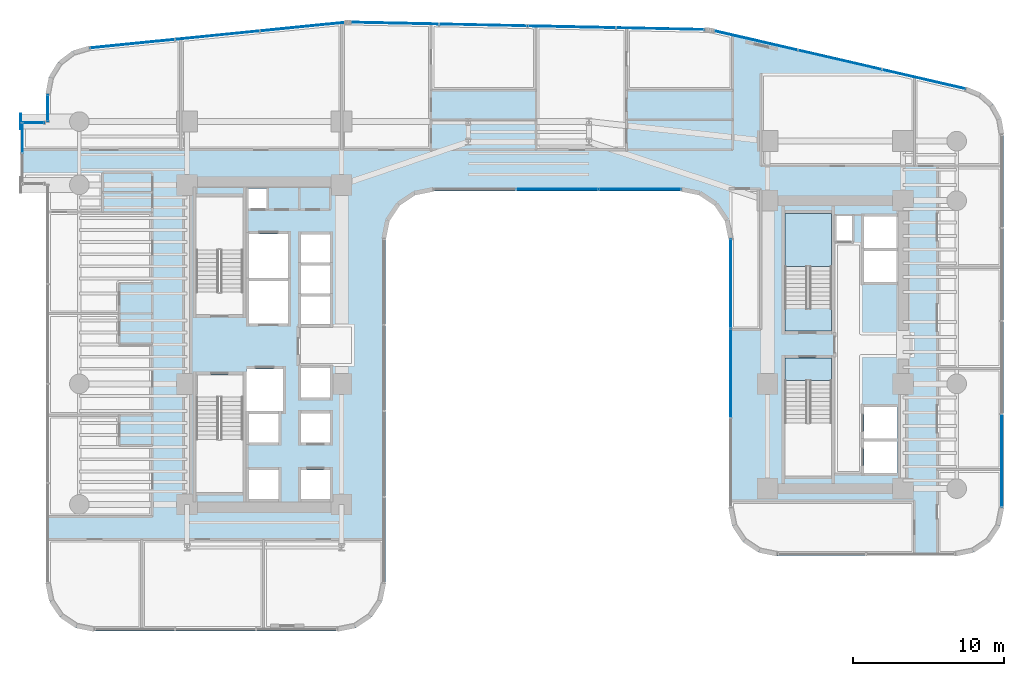
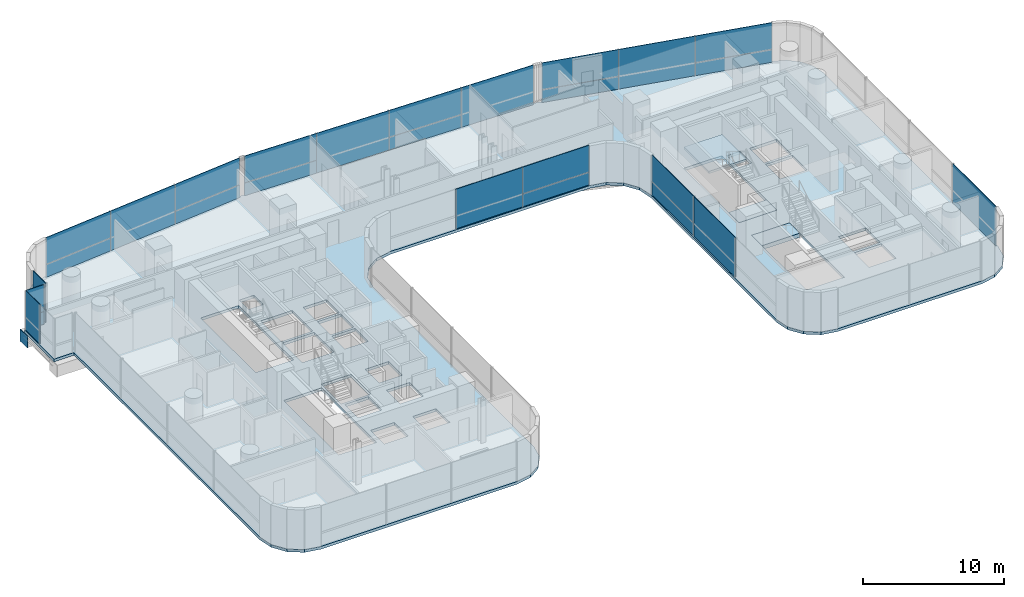
# One storey, part 30 of 41: 29 plates, 4 slabs, 10 elements without a shape of their own.
"""IFC4 building model written with IfcOpenShell, lengths in metres."""

from ifc_helpers import new_model, si_unit, direction, frame, origin, origin_2d, place, context, subcontext, project, spatial, polyline, rectangle, outline, extrude, source, transform, mapped, material, layer, layer_set, type_object, element, aggregate, save


model = new_model("IFC4")

# Units and contexts
model_context = context("Model", 3, precision=1e-05, world=origin(), true_north=direction((0.0, 1.0)))
body_context = subcontext(model_context, "Body", "Model", "MODEL_VIEW")
ifc_project = project(units=[si_unit("LENGTHUNIT", "METRE"), si_unit("AREAUNIT", "SQUARE_METRE"), si_unit("VOLUMEUNIT", "CUBIC_METRE"), si_unit("PLANEANGLEUNIT", "RADIAN"), si_unit("MASSUNIT", "GRAM", prefix="KILO")], contexts=[model_context])

# Site, building, storey
site_placement = place(None, origin())
site = spatial("IfcSite", under=ifc_project, at=site_placement, CompositionType="ELEMENT")
building_placement = place(site_placement, origin())
building = spatial("IfcBuilding", under=site, at=building_placement, Name="Valdorenza Pilgrim Sanctuary Tower", CompositionType="ELEMENT")
storey_placement = place(building_placement, frame((0.0, 0.0, 85.199951171875)))
storey = spatial("IfcBuildingStorey", under=building, at=storey_placement, Name="L21", CompositionType="ELEMENT", Elevation=85.199951171875)

# Slab
ifc_material_1 = material(Name="Concrete C40/50", Category="concrete")
ifc_layer_1 = layer(ifc_material_1, 0.239990234375, Name="Concrete C40/50")
ifc_layer_set_1 = layer_set([ifc_layer_1], Name="Concrete C40/50")
slab_type_1 = type_object("IfcSlabType", Name="SLAB-FLR-220", PredefinedType="FLOOR", material=ifc_layer_set_1)
slab_1_placement = place(storey_placement, frame((0.0, 0.0, -0.239990234375)))
element("IfcSlab", 1, at=slab_1_placement, inside=storey, type_object=slab_type_1, Name="L21 Structural Floor Slab 1", PredefinedType="FLOOR", context=body_context, shape_type="SweptSolid", body=[
    extrude(outline(polyline([(-31.785888671875, 17.754638671875), (-31.172607421875, 18.751220703125), (-30.241943359375, 19.460693359375), (-29.118408203125, 19.7880859375), (-12.192138671875, 21.480712890625), (-11.999755859375, 21.494140625), (-11.9033203125, 21.49658203125), (11.66943359375, 21.0068359375), (11.833984375, 20.999267578125), (11.997802734375, 20.983154296875), (12.160888671875, 20.95849609375), (12.322265625, 20.925537109375), (29.01953125, 17.072509765625), (30.00732421875, 16.660888671875), (30.80419921875, 15.946533203125), (31.321044921875, 15.009521484375), (31.5, 13.954345703125), (31.5, -10.800048828125), (31.25634765625, -12.024658203125), (30.562744140625, -13.062744140625), (29.524658203125, -13.75634765625), (28.300048828125, -14.0), (16.5, -14.0), (15.275390625, -13.75634765625), (14.2373046875, -13.062744140625), (13.543701171875, -12.024658203125), (13.300048828125, -10.800048828125), (13.300048828125, 7.0), (13.056396484375, 8.224609375), (12.36279296875, 9.2626953125), (11.32470703125, 9.956298828125), (10.10009765625, 10.199951171875), (-6.300048828125, 10.199951171875), (-7.524658203125, 9.956298828125), (-8.562744140625, 9.2626953125), (-9.25634765625, 8.224609375), (-9.5, 7.0), (-9.5, -15.800048828125), (-9.74365234375, -17.024658203125), (-10.437255859375, -18.062744140625), (-11.475341796875, -18.75634765625), (-12.699951171875, -19.0), (-28.800048828125, -19.0), (-30.024658203125, -18.75634765625), (-31.062744140625, -18.062744140625), (-31.75634765625, -17.024658203125), (-32.0, -15.800048828125), (-32.0, 10.60009765625), (-33.64990234375, 10.60009765625), (-33.64990234375, 14.800048828125), (-32.0, 14.800048828125), (-32.0, 16.60400390625), (-31.785888671875, 17.754638671875)]), holes=[polyline([(-16.60009765625, -10.25), (-16.60009765625, -8.300048828125), (-18.550048828125, -8.300048828125), (-18.550048828125, -10.25), (-16.60009765625, -10.25)]), polyline([(-22.050048828125, -9.800048828125), (-18.93994140625, -9.800048828125), (-18.93994140625, -3.485107421875), (-18.93994140625, -2.0), (-22.050048828125, -2.0), (-22.050048828125, -3.485107421875), (-22.050048828125, -9.800048828125)]), polyline([(-18.550048828125, -6.5), (-16.60009765625, -6.5), (-16.60009765625, -4.60009765625), (-18.550048828125, -4.60009765625), (-18.550048828125, -6.5)]), polyline([(-13.179931640625, -6.5), (-13.179931640625, -4.550048828125), (-15.10009765625, -4.550048828125), (-15.10009765625, -6.5), (-13.179931640625, -6.5)]), polyline([(-18.719970703125, -4.39990234375), (-16.300048828125, -4.39990234375), (-16.300048828125, -1.60009765625), (-18.719970703125, -1.60009765625), (-18.719970703125, -4.39990234375)]), polyline([(-13.179931640625, -3.5), (-13.179931640625, -1.550048828125), (-15.10009765625, -1.550048828125), (-15.10009765625, -3.5), (-13.179931640625, -3.5)]), polyline([(-22.050048828125, 2.0), (-18.93994140625, 2.0), (-18.93994140625, 3.485107421875), (-18.93994140625, 9.800048828125), (-22.050048828125, 9.800048828125), (-22.050048828125, 3.485107421875), (-22.050048828125, 2.0)]), polyline([(-18.550048828125, 1.39990234375), (-15.949951171875, 1.39990234375), (-15.949951171875, 4.22509765625), (-18.550048828125, 4.22509765625), (-18.550048828125, 1.39990234375)]), polyline([(-15.949951171875, 4.425048828125), (-15.949951171875, 7.35009765625), (-18.550048828125, 7.35009765625), (-18.550048828125, 4.425048828125), (-15.949951171875, 4.425048828125)]), polyline([(-15.10009765625, 5.449951171875), (-13.179931640625, 5.449951171875), (-13.179931640625, 7.300048828125), (-15.10009765625, 7.300048828125), (-15.10009765625, 5.449951171875)]), polyline([(-17.360107421875, 9.030029296875), (-17.360107421875, 10.35009765625), (-18.570068359375, 10.35009765625), (-18.570068359375, 9.030029296875), (-17.360107421875, 9.030029296875)]), polyline([(-15.10009765625, -10.25), (-13.179931640625, -10.25), (-13.179931640625, -8.300048828125), (-15.10009765625, -8.300048828125), (-15.10009765625, -10.25)]), polyline([(22.25, -8.5), (24.47998046875, -8.5), (24.47998046875, -6.425048828125), (22.25, -6.425048828125), (22.25, -8.5)]), polyline([(17.0, -2.385009765625), (17.0, -8.699951171875), (20.110107421875, -8.699951171875), (20.110107421875, -2.385009765625), (20.110107421875, -0.89990234375), (17.0, -0.89990234375), (17.0, -2.385009765625)]), polyline([(22.25, -6.22509765625), (24.47998046875, -6.22509765625), (24.47998046875, -4.14990234375), (22.25, -4.14990234375), (22.25, -6.22509765625)]), polyline([(17.0, 0.89990234375), (20.110107421875, 0.89990234375), (20.110107421875, 2.385009765625), (20.110107421875, 8.699951171875), (17.0, 8.699951171875), (17.0, 2.385009765625), (17.0, 0.89990234375)]), polyline([(-15.10009765625, 1.35009765625), (-13.179931640625, 1.35009765625), (-13.179931640625, 3.199951171875), (-15.10009765625, 3.199951171875), (-15.10009765625, 1.35009765625)]), polyline([(-15.10009765625, 3.39990234375), (-13.179931640625, 3.39990234375), (-13.179931640625, 5.25), (-15.10009765625, 5.25), (-15.10009765625, 3.39990234375)]), polyline([(22.25, 4.14990234375), (24.47998046875, 4.14990234375), (24.47998046875, 6.22509765625), (22.25, 6.22509765625), (22.25, 4.14990234375)]), polyline([(22.25, 6.425048828125), (24.47998046875, 6.425048828125), (24.47998046875, 8.5), (22.25, 8.5), (22.25, 6.425048828125)]), polyline([(20.409912109375, 6.860107421875), (21.489990234375, 6.860107421875), (21.489990234375, 8.52001953125), (20.409912109375, 8.52001953125), (20.409912109375, 6.860107421875)])]), origin(), (0.0, 0.0, 1.0), 0.239990234375),
])

# Stair, slab
stair_type = type_object("IfcStairType", Name="STR-DOG-CORE", PredefinedType="HALF_TURN_STAIR", material=ifc_material_1)
stair_placement = place(storey_placement, origin())
stair = element("IfcStair", 2, at=stair_placement, inside=storey, type_object=stair_type, Name="L21 ST-B1", PredefinedType="HALF_TURN_STAIR")
ifc_layer_2 = layer(ifc_material_1, 0.199951171875, Name="Concrete C40/50")
ifc_layer_set_2 = layer_set([ifc_layer_2], Name="Concrete C40/50")
slab_type_2 = type_object("IfcSlabType", Name="SLAB-STL-200", PredefinedType="LANDING", material=ifc_layer_set_2)
slab_2_placement = place(storey_placement, frame((0.0, 0.0, 1.650146484375)))
slab_2 = element("IfcSlab", 3, at=slab_2_placement, type_object=slab_type_2, Name="ST-B1 landing 1", PredefinedType="LANDING", context=body_context, shape_type="SweptSolid", body=[
    extrude(outline(polyline([(20.110107421875, 5.179931640625), (20.110107421875, 8.699951171875), (17.0, 8.699951171875), (17.0, 5.179931640625), (20.110107421875, 5.179931640625)])), origin(), (0.0, 0.0, 1.0), 0.199951171875),
])
aggregate(stair, [slab_2])

# Slabs
ifc_material_2 = material(Name="Concrete C50/60", Category="concrete")
ifc_layer_3 = layer(ifc_material_2, 0.39990234375, Name="Concrete C50/60")
ifc_layer_set_3 = layer_set([ifc_layer_3], Name="Concrete C50/60")
slab_type_3 = type_object("IfcSlabType", Name="SLAB-TRF-400", PredefinedType="FLOOR", material=ifc_layer_set_3)
slab_3_placement = place(storey_placement, frame((0.0, 0.0, -0.35986328125)))
element("IfcSlab", 4, at=slab_3_placement, inside=storey, type_object=slab_type_3, Name="L21 ST-B1 Structural Stair Landing Bearing Slab", PredefinedType="FLOOR", context=body_context, shape_type="SweptSolid", body=[
    extrude(outline(polyline([(17.0, 0.89990234375), (20.110107421875, 0.89990234375), (20.110107421875, 2.385009765625), (17.0, 2.385009765625), (17.0, 0.89990234375)])), origin(), (0.0, 0.0, 1.0), 0.35986328125),
])
slab_4_placement = place(storey_placement, frame((0.0, 0.0, -0.35986328125)))
element("IfcSlab", 5, at=slab_4_placement, inside=storey, type_object=slab_type_3, Name="L21 ST-B2 Structural Stair Landing Bearing Slab", PredefinedType="FLOOR", context=body_context, shape_type="SweptSolid", body=[
    extrude(outline(polyline([(17.0, -2.385009765625), (20.110107421875, -2.385009765625), (20.110107421875, -0.89990234375), (17.0, -0.89990234375), (17.0, -2.385009765625)])), origin(), (0.0, 0.0, 1.0), 0.35986328125),
])

# Plate
ifc_material_3 = material(Name="Steel ASTM A572 Grade 42", Category="steel")
ifc_layer_4 = layer(ifc_material_3, 0.06005859375, Name="Steel ASTM A572 Grade 42")
ifc_layer_set_4 = layer_set([ifc_layer_4], Name="Steel ASTM A572 Grade 42")
plate_type_1 = type_object("IfcPlateType", Name="PLT-CAP-60", PredefinedType="SHEET", material=ifc_layer_set_4)
shared_shape_1 = source(origin(), body_context, "Body", "SweptSolid", [
    extrude(rectangle(XDim=0.06005859375, YDim=1.0400390625, at=origin_2d()), origin(), (0.0, 0.0, 1.0), 1.0400390625),
])
plate_1_placement = place(storey_placement, frame((-33.679931640625, 14.800048828125, -1.260009765625), z_axis=(0.0, 0.0, 1.0), x_axis=(1.0, 0.0, 0.0)))
element("IfcPlate", 6, at=plate_1_placement, inside=storey, type_object=plate_type_1, Name="L21 BOX-WA-L21 Cantilever Tip End Cap N", PredefinedType="SHEET", context=body_context, shape_type="MappedRepresentation", body=[
    mapped(shared_shape_1, transform((0.0, 0.0, 0.0), x_axis=(1.0, 0.0, 0.0), y_axis=(0.0, 1.0, 0.0), z_axis=(0.0, 0.0, 1.0), scale=1.0)),
])

# Curtain wall, plates
ifc_material_4 = material(Name="Curtain-wall IGU glazing", Category="glass")
curtain_wall_type_1 = type_object("IfcCurtainWallType", Name="CW-SYS-02", PredefinedType="NOTDEFINED", material=ifc_material_4)
curtain_wall_1_placement = place(storey_placement, origin())
curtain_wall_1 = element("IfcCurtainWall", 7, at=curtain_wall_1_placement, inside=storey, type_object=curtain_wall_type_1, Name="L21 Curtain Wall CW-L21-1-6", PredefinedType="NOTDEFINED")
ifc_material_5 = material(Name="Honed travertine limestone", Category="masonry")
ifc_layer_5 = layer(ifc_material_5, 0.050048828125, Name="Honed travertine limestone")
ifc_layer_set_5 = layer_set([ifc_layer_5], Name="Honed travertine limestone")
plate_type_2 = type_object("IfcPlateType", Name="CW-SPN-TRV", PredefinedType="USERDEFINED", material=ifc_layer_set_5)
shared_shape_2 = source(origin(), body_context, "Body", "SweptSolid", [
    extrude(rectangle(XDim=5.646484375, YDim=0.06005859375, at=origin_2d()), origin(), (0.0, 0.0, 1.0), 1.10009765625),
])
plate_2_placement = place(storey_placement, frame((-26.2783203125, 19.961669921875, 0.010009765625), z_axis=(0.0, 0.0, 1.0), x_axis=(0.995038220239, 0.099493418189, 0.0)))
plate_2 = element("IfcPlate", 8, at=plate_2_placement, type_object=plate_type_2, Name="CW-L21-1-6 Travertine Spandrel 1", ObjectType="SPANDREL", PredefinedType="USERDEFINED", context=body_context, shape_type="MappedRepresentation", body=[
    mapped(shared_shape_2, transform((0.0, 0.0, 0.0), x_axis=(1.0, 0.0, 0.0), y_axis=(0.0, 1.0, 0.0), z_axis=(0.0, 0.0, 1.0), scale=1.0)),
])
plate_3_placement = place(storey_placement, frame((-15.001220703125, 21.08935546875, 0.010009765625), z_axis=(0.0, 0.0, 1.0), x_axis=(0.995038220239, 0.099493418189, 0.0)))
plate_3 = element("IfcPlate", 9, at=plate_3_placement, type_object=plate_type_2, Name="CW-L21-1-6 Travertine Spandrel 3", ObjectType="SPANDREL", PredefinedType="USERDEFINED", context=body_context, shape_type="MappedRepresentation", body=[
    mapped(shared_shape_2, transform((0.0, 0.0, 0.0), x_axis=(1.0, 0.0, 0.0), y_axis=(0.0, 1.0, 0.0), z_axis=(0.0, 0.0, 1.0), scale=1.0)),
])
ifc_material_6 = material(Name="Ceramic-fritted low-E IGU glazing", Category="glass")
ifc_layer_6 = layer(ifc_material_6, 0.035888671875, Name="Ceramic-fritted low-E IGU glazing")
ifc_layer_set_6 = layer_set([ifc_layer_6], Name="Ceramic-fritted low-E IGU glazing")
plate_type_3 = type_object("IfcPlateType", Name="CW-GLZ-IGU", PredefinedType="USERDEFINED", material=ifc_layer_set_6)
shared_shape_3 = source(origin(), body_context, "Body", "SweptSolid", [
    extrude(rectangle(XDim=5.646484375, YDim=0.050048828125, at=origin_2d()), origin(), (0.0, 0.0, 1.0), 2.320068359375),
])
plate_4_placement = place(storey_placement, frame((-26.2783203125, 19.961669921875, 1.1298828125), z_axis=(0.0, 0.0, 1.0), x_axis=(0.995038220239, 0.099493418189, 0.0)))
plate_4 = element("IfcPlate", 10, at=plate_4_placement, type_object=plate_type_3, Name="CW-L21-1-6 Facade Panel 1", ObjectType="GLAZING", PredefinedType="USERDEFINED", context=body_context, shape_type="MappedRepresentation", body=[
    mapped(shared_shape_3, transform((0.0, 0.0, 0.0), x_axis=(1.0, 0.0, 0.0), y_axis=(0.0, 1.0, 0.0), z_axis=(0.0, 0.0, 1.0), scale=1.0)),
])
plate_5_placement = place(storey_placement, frame((-15.001220703125, 21.08935546875, 1.1298828125), z_axis=(0.0, 0.0, 1.0), x_axis=(0.995038220239, 0.099493418189, 0.0)))
plate_5 = element("IfcPlate", 11, at=plate_5_placement, type_object=plate_type_3, Name="CW-L21-1-6 Facade Panel 3", ObjectType="GLAZING", PredefinedType="USERDEFINED", context=body_context, shape_type="MappedRepresentation", body=[
    mapped(shared_shape_3, transform((0.0, 0.0, 0.0), x_axis=(1.0, 0.0, 0.0), y_axis=(0.0, 1.0, 0.0), z_axis=(0.0, 0.0, 1.0), scale=1.0)),
])
shared_shape_4 = source(origin(), body_context, "Body", "SweptSolid", [
    extrude(rectangle(XDim=5.646484375, YDim=0.050048828125, at=origin_2d()), origin(), (0.0, 0.0, 1.0), 3.43994140625),
])
plate_6_placement = place(storey_placement, frame((-20.6396484375, 20.525634765625, 0.010009765625), z_axis=(0.0, 0.0, 1.0), x_axis=(0.995038220239, 0.099493418189, 0.0)))
plate_6 = element("IfcPlate", 12, at=plate_6_placement, type_object=plate_type_3, Name="CW-L21-1-6 Full-Height Facade Panel 2", ObjectType="GLAZING", PredefinedType="USERDEFINED", context=body_context, shape_type="MappedRepresentation", body=[
    mapped(shared_shape_4, transform((0.0, 0.0, 0.0), x_axis=(1.0, 0.0, 0.0), y_axis=(0.0, 1.0, 0.0), z_axis=(0.0, 0.0, 1.0), scale=1.0)),
])
aggregate(curtain_wall_1, [plate_2, plate_4, plate_6, plate_3, plate_5])

curtain_wall_2_placement = place(storey_placement, origin())
curtain_wall_2 = element("IfcCurtainWall", 13, at=curtain_wall_2_placement, inside=storey, type_object=curtain_wall_type_1, Name="L21 Curtain Wall CW-L21-1-11", PredefinedType="NOTDEFINED")
shared_shape_5 = source(origin(), body_context, "Body", "SweptSolid", [
    extrude(rectangle(XDim=5.849853515625, YDim=0.06005859375, at=origin_2d()), origin(), (0.0, 0.0, 1.0), 1.10009765625),
])
plate_7_placement = place(storey_placement, frame((-8.8740234375, 21.324951171875, 0.010009765625), z_axis=(0.0, 0.0, 1.0), x_axis=(0.999783234613, -0.020820273474, 0.0)))
plate_7 = element("IfcPlate", 14, at=plate_7_placement, type_object=plate_type_2, Name="CW-L21-1-11 Travertine Spandrel 1", ObjectType="SPANDREL", PredefinedType="USERDEFINED", context=body_context, shape_type="MappedRepresentation", body=[
    mapped(shared_shape_5, transform((0.0, 0.0, 0.0), x_axis=(1.0, 0.0, 0.0), y_axis=(0.0, 1.0, 0.0), z_axis=(0.0, 0.0, 1.0), scale=1.0)),
])
plate_8_placement = place(storey_placement, frame((2.86279296875, 21.080322265625, 0.010009765625), z_axis=(0.0, 0.0, 1.0), x_axis=(0.999783234613, -0.020820273474, 0.0)))
plate_8 = element("IfcPlate", 15, at=plate_8_placement, type_object=plate_type_2, Name="CW-L21-1-11 Travertine Spandrel 3", ObjectType="SPANDREL", PredefinedType="USERDEFINED", context=body_context, shape_type="MappedRepresentation", body=[
    mapped(shared_shape_5, transform((0.0, 0.0, 0.0), x_axis=(1.0, 0.0, 0.0), y_axis=(0.0, 1.0, 0.0), z_axis=(0.0, 0.0, 1.0), scale=1.0)),
])
shared_shape_6 = source(origin(), body_context, "Body", "SweptSolid", [
    extrude(rectangle(XDim=5.849853515625, YDim=0.050048828125, at=origin_2d()), origin(), (0.0, 0.0, 1.0), 2.320068359375),
])
plate_9_placement = place(storey_placement, frame((-8.8740234375, 21.324951171875, 1.1298828125), z_axis=(0.0, 0.0, 1.0), x_axis=(0.999783234613, -0.020820273474, 0.0)))
plate_9 = element("IfcPlate", 16, at=plate_9_placement, type_object=plate_type_3, Name="CW-L21-1-11 Facade Panel 1", ObjectType="GLAZING", PredefinedType="USERDEFINED", context=body_context, shape_type="MappedRepresentation", body=[
    mapped(shared_shape_6, transform((0.0, 0.0, 0.0), x_axis=(1.0, 0.0, 0.0), y_axis=(0.0, 1.0, 0.0), z_axis=(0.0, 0.0, 1.0), scale=1.0)),
])
plate_10_placement = place(storey_placement, frame((2.86279296875, 21.080322265625, 1.1298828125), z_axis=(0.0, 0.0, 1.0), x_axis=(0.999783234613, -0.020820273474, 0.0)))
plate_10 = element("IfcPlate", 17, at=plate_10_placement, type_object=plate_type_3, Name="CW-L21-1-11 Facade Panel 3", ObjectType="GLAZING", PredefinedType="USERDEFINED", context=body_context, shape_type="MappedRepresentation", body=[
    mapped(shared_shape_6, transform((0.0, 0.0, 0.0), x_axis=(1.0, 0.0, 0.0), y_axis=(0.0, 1.0, 0.0), z_axis=(0.0, 0.0, 1.0), scale=1.0)),
])
shared_shape_7 = source(origin(), body_context, "Body", "SweptSolid", [
    extrude(rectangle(XDim=5.849853515625, YDim=0.050048828125, at=origin_2d()), origin(), (0.0, 0.0, 1.0), 3.43994140625),
])
plate_11_placement = place(storey_placement, frame((-3.005615234375, 21.20263671875, 0.010009765625), z_axis=(0.0, 0.0, 1.0), x_axis=(0.999783234613, -0.020820273474, 0.0)))
plate_11 = element("IfcPlate", 18, at=plate_11_placement, type_object=plate_type_3, Name="CW-L21-1-11 Full-Height Facade Panel 2", ObjectType="GLAZING", PredefinedType="USERDEFINED", context=body_context, shape_type="MappedRepresentation", body=[
    mapped(shared_shape_7, transform((0.0, 0.0, 0.0), x_axis=(1.0, 0.0, 0.0), y_axis=(0.0, 1.0, 0.0), z_axis=(0.0, 0.0, 1.0), scale=1.0)),
])
plate_12_placement = place(storey_placement, frame((8.7314453125, 20.9580078125, 0.010009765625), z_axis=(0.0, 0.0, 1.0), x_axis=(0.999783234613, -0.020820273474, 0.0)))
plate_12 = element("IfcPlate", 19, at=plate_12_placement, type_object=plate_type_3, Name="CW-L21-1-11 Full-Height Facade Panel 4", ObjectType="GLAZING", PredefinedType="USERDEFINED", context=body_context, shape_type="MappedRepresentation", body=[
    mapped(shared_shape_7, transform((0.0, 0.0, 0.0), x_axis=(1.0, 0.0, 0.0), y_axis=(0.0, 1.0, 0.0), z_axis=(0.0, 0.0, 1.0), scale=1.0)),
])
aggregate(curtain_wall_2, [plate_7, plate_9, plate_11, plate_8, plate_10, plate_12])

curtain_wall_type_2 = type_object("IfcCurtainWallType", Name="CW-SYS-03", PredefinedType="NOTDEFINED", material=ifc_material_4)
curtain_wall_3_placement = place(storey_placement, origin())
curtain_wall_3 = element("IfcCurtainWall", 20, at=curtain_wall_3_placement, inside=storey, type_object=curtain_wall_type_2, Name="L21 Curtain Wall CW-L21-1-16", PredefinedType="NOTDEFINED")
shared_shape_8 = source(origin(), body_context, "Body", "SweptSolid", [
    extrude(rectangle(XDim=5.6884765625, YDim=0.06005859375, at=origin_2d()), origin(), (0.0, 0.0, 1.0), 1.10009765625),
])
plate_13_placement = place(storey_placement, frame((15.080078125, 20.17626953125, 0.010009765625), z_axis=(0.0, 0.0, 1.0), x_axis=(0.974389691758, -0.224866023659, 0.0)))
plate_13 = element("IfcPlate", 21, at=plate_13_placement, type_object=plate_type_2, Name="CW-L21-1-16 Travertine Spandrel 1", ObjectType="SPANDREL", PredefinedType="USERDEFINED", context=body_context, shape_type="MappedRepresentation", body=[
    mapped(shared_shape_8, transform((0.0, 0.0, 0.0), x_axis=(1.0, 0.0, 0.0), y_axis=(0.0, 1.0, 0.0), z_axis=(0.0, 0.0, 1.0), scale=1.0)),
])
plate_14_placement = place(storey_placement, frame((26.20458984375, 17.609130859375, 0.010009765625), z_axis=(0.0, 0.0, 1.0), x_axis=(0.974389691758, -0.224866023659, 0.0)))
plate_14 = element("IfcPlate", 22, at=plate_14_placement, type_object=plate_type_2, Name="CW-L21-1-16 Travertine Spandrel 3", ObjectType="SPANDREL", PredefinedType="USERDEFINED", context=body_context, shape_type="MappedRepresentation", body=[
    mapped(shared_shape_8, transform((0.0, 0.0, 0.0), x_axis=(1.0, 0.0, 0.0), y_axis=(0.0, 1.0, 0.0), z_axis=(0.0, 0.0, 1.0), scale=1.0)),
])
shared_shape_9 = source(origin(), body_context, "Body", "SweptSolid", [
    extrude(rectangle(XDim=5.6884765625, YDim=0.050048828125, at=origin_2d()), origin(), (0.0, 0.0, 1.0), 2.320068359375),
])
plate_15_placement = place(storey_placement, frame((15.080078125, 20.17626953125, 1.1298828125), z_axis=(0.0, 0.0, 1.0), x_axis=(0.974389691758, -0.224866023659, 0.0)))
plate_15 = element("IfcPlate", 23, at=plate_15_placement, type_object=plate_type_3, Name="CW-L21-1-16 Facade Panel 1", ObjectType="GLAZING", PredefinedType="USERDEFINED", context=body_context, shape_type="MappedRepresentation", body=[
    mapped(shared_shape_9, transform((0.0, 0.0, 0.0), x_axis=(1.0, 0.0, 0.0), y_axis=(0.0, 1.0, 0.0), z_axis=(0.0, 0.0, 1.0), scale=1.0)),
])
plate_16_placement = place(storey_placement, frame((26.20458984375, 17.609130859375, 1.1298828125), z_axis=(0.0, 0.0, 1.0), x_axis=(0.974389691758, -0.224866023659, 0.0)))
plate_16 = element("IfcPlate", 24, at=plate_16_placement, type_object=plate_type_3, Name="CW-L21-1-16 Facade Panel 3", ObjectType="GLAZING", PredefinedType="USERDEFINED", context=body_context, shape_type="MappedRepresentation", body=[
    mapped(shared_shape_9, transform((0.0, 0.0, 0.0), x_axis=(1.0, 0.0, 0.0), y_axis=(0.0, 1.0, 0.0), z_axis=(0.0, 0.0, 1.0), scale=1.0)),
])
shared_shape_10 = source(origin(), body_context, "Body", "SweptSolid", [
    extrude(rectangle(XDim=5.6884765625, YDim=0.050048828125, at=origin_2d()), origin(), (0.0, 0.0, 1.0), 3.43994140625),
])
plate_17_placement = place(storey_placement, frame((20.642333984375, 18.892578125, 0.010009765625), z_axis=(0.0, 0.0, 1.0), x_axis=(0.974389691758, -0.224866023659, 0.0)))
plate_17 = element("IfcPlate", 25, at=plate_17_placement, type_object=plate_type_3, Name="CW-L21-1-16 Full-Height Facade Panel 2", ObjectType="GLAZING", PredefinedType="USERDEFINED", context=body_context, shape_type="MappedRepresentation", body=[
    mapped(shared_shape_10, transform((0.0, 0.0, 0.0), x_axis=(1.0, 0.0, 0.0), y_axis=(0.0, 1.0, 0.0), z_axis=(0.0, 0.0, 1.0), scale=1.0)),
])
aggregate(curtain_wall_3, [plate_13, plate_15, plate_17, plate_14, plate_16])

# Curtain wall, plate
curtain_wall_4_placement = place(storey_placement, origin())
curtain_wall_4 = element("IfcCurtainWall", 26, at=curtain_wall_4_placement, inside=storey, type_object=curtain_wall_type_2, Name="L21 Curtain Wall CW-L21-1-21", PredefinedType="NOTDEFINED")
shared_shape_11 = source(origin(), body_context, "Body", "SweptSolid", [
    extrude(rectangle(XDim=6.16357421875, YDim=0.050048828125, at=origin_2d()), origin(), (0.0, 0.0, 1.0), 3.43994140625),
])
plate_18_placement = place(storey_placement, frame((31.389892578125, -7.697509765625, 0.010009765625), z_axis=(0.0, 0.0, 1.0), x_axis=(0.0, -1.0, 0.0)))
plate_18 = element("IfcPlate", 27, at=plate_18_placement, type_object=plate_type_3, Name="CW-L21-1-21 Full-Height Facade Panel 4", ObjectType="GLAZING", PredefinedType="USERDEFINED", context=body_context, shape_type="MappedRepresentation", body=[
    mapped(shared_shape_11, transform((0.0, 0.0, 0.0), x_axis=(1.0, 0.0, 0.0), y_axis=(0.0, 1.0, 0.0), z_axis=(0.0, 0.0, 1.0), scale=1.0)),
])
aggregate(curtain_wall_4, [plate_18])

# Curtain wall, plates
curtain_wall_5_placement = place(storey_placement, origin())
curtain_wall_5 = element("IfcCurtainWall", 28, at=curtain_wall_5_placement, inside=storey, type_object=curtain_wall_type_2, Name="L21 Curtain Wall CW-L21-1-31", PredefinedType="NOTDEFINED")
shared_shape_12 = source(origin(), body_context, "Body", "SweptSolid", [
    extrude(rectangle(XDim=5.913330078125, YDim=0.06005859375, at=origin_2d()), origin(), (0.0, 0.0, 1.0), 1.10009765625),
])
plate_19_placement = place(storey_placement, frame((13.409912109375, 4.044189453125, 0.010009765625), z_axis=(0.0, 0.0, 1.0), x_axis=(0.0, 1.0, 0.0)))
plate_19 = element("IfcPlate", 29, at=plate_19_placement, type_object=plate_type_2, Name="CW-L21-1-31 Travertine Spandrel 3", ObjectType="SPANDREL", PredefinedType="USERDEFINED", context=body_context, shape_type="MappedRepresentation", body=[
    mapped(shared_shape_12, transform((0.0, 0.0, 0.0), x_axis=(1.0, 0.0, 0.0), y_axis=(0.0, 1.0, 0.0), z_axis=(0.0, 0.0, 1.0), scale=1.0)),
])
shared_shape_13 = source(origin(), body_context, "Body", "SweptSolid", [
    extrude(rectangle(XDim=5.913330078125, YDim=0.050048828125, at=origin_2d()), origin(), (0.0, 0.0, 1.0), 2.320068359375),
])
plate_20_placement = place(storey_placement, frame((13.409912109375, 4.044189453125, 1.1298828125), z_axis=(0.0, 0.0, 1.0), x_axis=(0.0, 1.0, 0.0)))
plate_20 = element("IfcPlate", 30, at=plate_20_placement, type_object=plate_type_3, Name="CW-L21-1-31 Facade Panel 3", ObjectType="GLAZING", PredefinedType="USERDEFINED", context=body_context, shape_type="MappedRepresentation", body=[
    mapped(shared_shape_13, transform((0.0, 0.0, 0.0), x_axis=(1.0, 0.0, 0.0), y_axis=(0.0, 1.0, 0.0), z_axis=(0.0, 0.0, 1.0), scale=1.0)),
])
shared_shape_14 = source(origin(), body_context, "Body", "SweptSolid", [
    extrude(rectangle(XDim=5.913330078125, YDim=0.050048828125, at=origin_2d()), origin(), (0.0, 0.0, 1.0), 3.43994140625),
])
plate_21_placement = place(storey_placement, frame((13.409912109375, -1.88916015625, 0.010009765625), z_axis=(0.0, 0.0, 1.0), x_axis=(0.0, 1.0, 0.0)))
plate_21 = element("IfcPlate", 31, at=plate_21_placement, type_object=plate_type_3, Name="CW-L21-1-31 Full-Height Facade Panel 2", ObjectType="GLAZING", PredefinedType="USERDEFINED", context=body_context, shape_type="MappedRepresentation", body=[
    mapped(shared_shape_14, transform((0.0, 0.0, 0.0), x_axis=(1.0, 0.0, 0.0), y_axis=(0.0, 1.0, 0.0), z_axis=(0.0, 0.0, 1.0), scale=1.0)),
])
aggregate(curtain_wall_5, [plate_21, plate_19, plate_20])

curtain_wall_6_placement = place(storey_placement, origin())
curtain_wall_6 = element("IfcCurtainWall", 32, at=curtain_wall_6_placement, inside=storey, type_object=curtain_wall_type_1, Name="L21 Curtain Wall CW-L21-1-36", PredefinedType="NOTDEFINED")
shared_shape_15 = source(origin(), body_context, "Body", "SweptSolid", [
    extrude(rectangle(XDim=5.453857421875, YDim=0.06005859375, at=origin_2d()), origin(), (0.0, 0.0, 1.0), 1.10009765625),
])
plate_22_placement = place(storey_placement, frame((7.373779296875, 10.31005859375, 0.010009765625), z_axis=(0.0, 0.0, 1.0), x_axis=(-1.0, 0.0, 0.0)))
plate_22 = element("IfcPlate", 33, at=plate_22_placement, type_object=plate_type_2, Name="CW-L21-1-36 Travertine Spandrel 1", ObjectType="SPANDREL", PredefinedType="USERDEFINED", context=body_context, shape_type="MappedRepresentation", body=[
    mapped(shared_shape_15, transform((0.0, 0.0, 0.0), x_axis=(1.0, 0.0, 0.0), y_axis=(0.0, 1.0, 0.0), z_axis=(0.0, 0.0, 1.0), scale=1.0)),
])
shared_shape_16 = source(origin(), body_context, "Body", "SweptSolid", [
    extrude(rectangle(XDim=5.453857421875, YDim=0.050048828125, at=origin_2d()), origin(), (0.0, 0.0, 1.0), 2.320068359375),
])
plate_23_placement = place(storey_placement, frame((7.373779296875, 10.31005859375, 1.1298828125), z_axis=(0.0, 0.0, 1.0), x_axis=(-1.0, 0.0, 0.0)))
plate_23 = element("IfcPlate", 34, at=plate_23_placement, type_object=plate_type_3, Name="CW-L21-1-36 Facade Panel 1", ObjectType="GLAZING", PredefinedType="USERDEFINED", context=body_context, shape_type="MappedRepresentation", body=[
    mapped(shared_shape_16, transform((0.0, 0.0, 0.0), x_axis=(1.0, 0.0, 0.0), y_axis=(0.0, 1.0, 0.0), z_axis=(0.0, 0.0, 1.0), scale=1.0)),
])
shared_shape_17 = source(origin(), body_context, "Body", "SweptSolid", [
    extrude(rectangle(XDim=5.453857421875, YDim=0.050048828125, at=origin_2d()), origin(), (0.0, 0.0, 1.0), 3.43994140625),
])
plate_24_placement = place(storey_placement, frame((1.89990234375, 10.31005859375, 0.010009765625), z_axis=(0.0, 0.0, 1.0), x_axis=(-1.0, 0.0, 0.0)))
plate_24 = element("IfcPlate", 35, at=plate_24_placement, type_object=plate_type_3, Name="CW-L21-1-36 Full-Height Facade Panel 2", ObjectType="GLAZING", PredefinedType="USERDEFINED", context=body_context, shape_type="MappedRepresentation", body=[
    mapped(shared_shape_17, transform((0.0, 0.0, 0.0), x_axis=(1.0, 0.0, 0.0), y_axis=(0.0, 1.0, 0.0), z_axis=(0.0, 0.0, 1.0), scale=1.0)),
])
aggregate(curtain_wall_6, [plate_22, plate_23, plate_24])

curtain_wall_7_placement = place(storey_placement, origin())
curtain_wall_7 = element("IfcCurtainWall", 36, at=curtain_wall_7_placement, inside=storey, type_object=curtain_wall_type_1, Name="L21 Curtain Wall CW-L21-BOX-WA-L21-N", PredefinedType="NOTDEFINED")
shared_shape_18 = source(origin(), body_context, "Body", "SweptSolid", [
    extrude(rectangle(XDim=1.43994140625, YDim=0.06005859375, at=origin_2d()), origin(), (0.0, 0.0, 1.0), 1.10009765625),
])
plate_25_placement = place(storey_placement, frame((-32.840087890625, 14.719970703125, 0.010009765625), z_axis=(0.0, 0.0, 1.0), x_axis=(1.0, 0.0, 0.0)))
plate_25 = element("IfcPlate", 37, at=plate_25_placement, type_object=plate_type_2, Name="CW-L21-BOX-WA-L21-N Travertine Spandrel 1", ObjectType="SPANDREL", PredefinedType="USERDEFINED", context=body_context, shape_type="MappedRepresentation", body=[
    mapped(shared_shape_18, transform((0.0, 0.0, 0.0), x_axis=(1.0, 0.0, 0.0), y_axis=(0.0, 1.0, 0.0), z_axis=(0.0, 0.0, 1.0), scale=1.0)),
])
shared_shape_19 = source(origin(), body_context, "Body", "SweptSolid", [
    extrude(rectangle(XDim=1.43994140625, YDim=0.050048828125, at=origin_2d()), origin(), (0.0, 0.0, 1.0), 2.320068359375),
])
plate_26_placement = place(storey_placement, frame((-32.840087890625, 14.719970703125, 1.1298828125), z_axis=(0.0, 0.0, 1.0), x_axis=(1.0, 0.0, 0.0)))
plate_26 = element("IfcPlate", 38, at=plate_26_placement, type_object=plate_type_3, Name="CW-L21-BOX-WA-L21-N Facade Panel 1", ObjectType="GLAZING", PredefinedType="USERDEFINED", context=body_context, shape_type="MappedRepresentation", body=[
    mapped(shared_shape_19, transform((0.0, 0.0, 0.0), x_axis=(1.0, 0.0, 0.0), y_axis=(0.0, 1.0, 0.0), z_axis=(0.0, 0.0, 1.0), scale=1.0)),
])
aggregate(curtain_wall_7, [plate_25, plate_26])

curtain_wall_8_placement = place(storey_placement, origin())
curtain_wall_8 = element("IfcCurtainWall", 39, at=curtain_wall_8_placement, inside=storey, type_object=curtain_wall_type_1, Name="L21 Curtain Wall CW-L21-1-1S2", PredefinedType="NOTDEFINED")
shared_shape_20 = source(origin(), body_context, "Body", "SweptSolid", [
    extrude(rectangle(XDim=1.77392578125, YDim=0.06005859375, at=origin_2d()), origin(), (0.0, 0.0, 1.0), 1.10009765625),
])
plate_27_placement = place(storey_placement, frame((-31.889892578125, 15.697021484375, 0.010009765625), z_axis=(0.0, 0.0, 1.0), x_axis=(0.0, 1.0, 0.0)))
plate_27 = element("IfcPlate", 40, at=plate_27_placement, type_object=plate_type_2, Name="CW-L21-1-1S2 Travertine Spandrel 1", ObjectType="SPANDREL", PredefinedType="USERDEFINED", context=body_context, shape_type="MappedRepresentation", body=[
    mapped(shared_shape_20, transform((0.0, 0.0, 0.0), x_axis=(1.0, 0.0, 0.0), y_axis=(0.0, 1.0, 0.0), z_axis=(0.0, 0.0, 1.0), scale=1.0)),
])
shared_shape_21 = source(origin(), body_context, "Body", "SweptSolid", [
    extrude(rectangle(XDim=1.77392578125, YDim=0.050048828125, at=origin_2d()), origin(), (0.0, 0.0, 1.0), 2.320068359375),
])
plate_28_placement = place(storey_placement, frame((-31.889892578125, 15.697021484375, 1.1298828125), z_axis=(0.0, 0.0, 1.0), x_axis=(0.0, 1.0, 0.0)))
plate_28 = element("IfcPlate", 41, at=plate_28_placement, type_object=plate_type_3, Name="CW-L21-1-1S2 Facade Panel 1", ObjectType="GLAZING", PredefinedType="USERDEFINED", context=body_context, shape_type="MappedRepresentation", body=[
    mapped(shared_shape_21, transform((0.0, 0.0, 0.0), x_axis=(1.0, 0.0, 0.0), y_axis=(0.0, 1.0, 0.0), z_axis=(0.0, 0.0, 1.0), scale=1.0)),
])
aggregate(curtain_wall_8, [plate_27, plate_28])

# Curtain wall, plate
curtain_wall_9_placement = place(storey_placement, origin())
curtain_wall_9 = element("IfcCurtainWall", 42, at=curtain_wall_9_placement, inside=storey, type_object=curtain_wall_type_1, Name="L21 Curtain Wall CW-L21-BOX-WA-L21-F", PredefinedType="NOTDEFINED")
shared_shape_22 = source(origin(), body_context, "Body", "SweptSolid", [
    extrude(rectangle(XDim=2.0, YDim=0.050048828125, at=origin_2d()), origin(), (0.0, 0.0, 1.0), 3.43994140625),
])
plate_29_placement = place(storey_placement, frame((-33.570068359375, 13.7099609375, 0.010009765625), z_axis=(0.0, 0.0, 1.0), x_axis=(0.0, 1.0, 0.0)))
plate_29 = element("IfcPlate", 43, at=plate_29_placement, type_object=plate_type_3, Name="CW-L21-BOX-WA-L21-F Full-Height Facade Panel 2", ObjectType="GLAZING", PredefinedType="USERDEFINED", context=body_context, shape_type="MappedRepresentation", body=[
    mapped(shared_shape_22, transform((0.0, 0.0, 0.0), x_axis=(1.0, 0.0, 0.0), y_axis=(0.0, 1.0, 0.0), z_axis=(0.0, 0.0, 1.0), scale=1.0)),
])
aggregate(curtain_wall_9, [plate_29])

save(model, "model.ifc")
